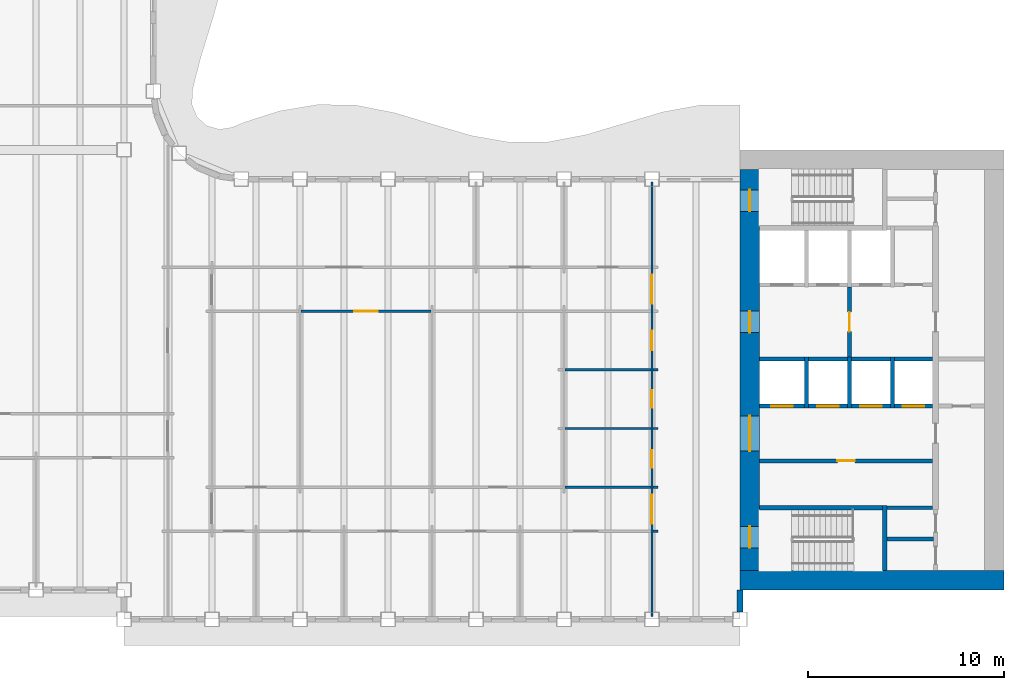
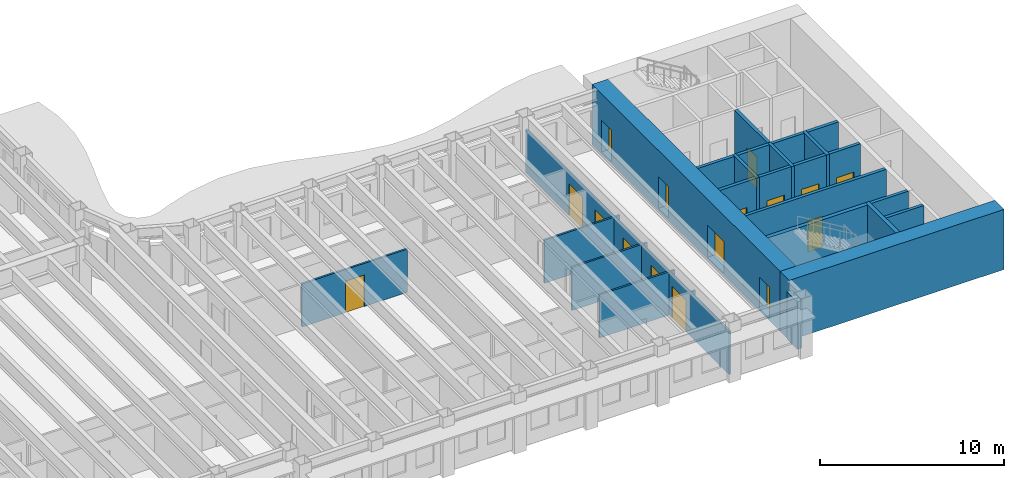
# One storey, part 6 of 16: 29 walls, 16 doors, 16 openings.
"""IFC4 building model written with IfcOpenShell, lengths in metres."""

from ifc_helpers import new_model, si_unit, direction, frame, frame_2d, origin, place, context, subcontext, project, spatial, rectangle, extrude, material, layer, layer_set, type_object, element, fill, save


model = new_model("IFC4")

# Units and contexts
model_context = context("Model", 3, precision=1e-05, world=origin(), true_north=direction((0.0, 1.0)))
body_context = subcontext(model_context, "Body", "Model", "MODEL_VIEW")
ifc_project = project(units=[si_unit("LENGTHUNIT", "METRE"), si_unit("AREAUNIT", "SQUARE_METRE"), si_unit("VOLUMEUNIT", "CUBIC_METRE"), si_unit("PLANEANGLEUNIT", "RADIAN"), si_unit("MASSUNIT", "GRAM", prefix="KILO")], contexts=[model_context])

# Site, building, storey
site_placement = place(None, origin())
site = spatial("IfcSite", under=ifc_project, at=site_placement, CompositionType="ELEMENT")
building_placement = place(site_placement, origin())
building = spatial("IfcBuilding", under=site, at=building_placement, Name="Sennacour Bend Tower", CompositionType="ELEMENT")
storey_placement = place(building_placement, frame((0.0, 0.0, 223.0)))
storey = spatial("IfcBuildingStorey", under=building, at=storey_placement, Name="L51", CompositionType="ELEMENT", Elevation=223.0)

# Wall
ifc_material_1 = material(Name="Concrete C60/75", Category="concrete")
ifc_layer_1 = layer(ifc_material_1, 1.0, Name="Concrete C60/75", Category="concrete")
ifc_layer_set_1 = layer_set([ifc_layer_1], Name="Concrete C60/75")
wall_type_1 = type_object("IfcWallType", Name="Core wall 1000 C60/75", PredefinedType="SHEAR", material=ifc_layer_set_1)
wall_1_placement = place(storey_placement, frame((67.5, 0.5, -0.14990234375), z_axis=(0.0, 0.0, 1.0), x_axis=(-1.0, 0.0, 0.0)))
element("IfcWall", 1, at=wall_1_placement, inside=storey, type_object=wall_type_1, Name="Core A wall L51 S", PredefinedType="SHEAR", context=body_context, shape_type="SweptSolid", body=[
    extrude(rectangle(XDim=13.5, YDim=1.0, at=frame_2d((6.75, 0.0))), origin(), (0.0, 0.0, 1.0), 4.0),
])

# Wall, openings, doors
wall_2_placement = place(storey_placement, frame((54.5, 1.0, -0.14990234375), z_axis=(0.0, 0.0, 1.0), x_axis=(0.0, 1.0, 0.0)))
wall_2 = element("IfcWall", 2, at=wall_2_placement, inside=storey, type_object=wall_type_1, Name="Core A wall L51 W", PredefinedType="SHEAR", context=body_context, shape_type="SweptSolid", body=[
    extrude(rectangle(XDim=20.5, YDim=1.0, at=frame_2d((10.25, 0.0))), origin(), (0.0, 0.0, 1.0), 4.0),
])
opening_1_placement = place(wall_2_placement, frame((6.10009765625, 0.0, 0.14990234375)))
opening_1 = element("IfcOpeningElement", 3, at=opening_1_placement, cuts=wall_2, Name="Opening CD", PredefinedType="OPENING", context=body_context, shape_type="SweptSolid", body=[
    extrude(rectangle(XDim=1.800048828125, YDim=2.10009765625, at=frame_2d((0.89990234375, 1.050048828125))), frame((0.0, 0.510009765625, 0.0), z_axis=(0.0, -1.0, 0.0), x_axis=(1.0, 0.0, 0.0)), (0.0, 0.0, 1.0), 1.02001953125),
])
opening_2_placement = place(wall_2_placement, frame((12.14990234375, 0.0, 0.14990234375)))
opening_2 = element("IfcOpeningElement", 4, at=opening_2_placement, cuts=wall_2, Name="Opening FD", PredefinedType="OPENING", context=body_context, shape_type="SweptSolid", body=[
    extrude(rectangle(XDim=1.10009765625, YDim=2.10009765625, at=frame_2d((0.550048828125, 1.050048828125))), frame((0.0, 0.510009765625, 0.0), z_axis=(0.0, -1.0, 0.0), x_axis=(1.0, 0.0, 0.0)), (0.0, 0.0, 1.0), 1.02001953125),
])
opening_3_placement = place(wall_2_placement, frame((1.14990234375, 0.0, 0.14990234375)))
opening_3 = element("IfcOpeningElement", 5, at=opening_3_placement, cuts=wall_2, Name="Opening SD", PredefinedType="OPENING", context=body_context, shape_type="SweptSolid", body=[
    extrude(rectangle(XDim=1.10009765625, YDim=2.10009765625, at=frame_2d((0.550048828125, 1.050048828125))), frame((0.0, 0.510009765625, 0.0), z_axis=(0.0, -1.0, 0.0), x_axis=(1.0, 0.0, 0.0)), (0.0, 0.0, 1.0), 1.02001953125),
])
opening_4_placement = place(wall_2_placement, frame((18.35009765625, 0.0, 0.14990234375)))
opening_4 = element("IfcOpeningElement", 6, at=opening_4_placement, cuts=wall_2, Name="Opening SD", PredefinedType="OPENING", context=body_context, shape_type="SweptSolid", body=[
    extrude(rectangle(XDim=1.10009765625, YDim=2.10009765625, at=frame_2d((0.550048828125, 1.050048828125))), frame((0.0, 0.510009765625, 0.0), z_axis=(0.0, -1.0, 0.0), x_axis=(1.0, 0.0, 0.0)), (0.0, 0.0, 1.0), 1.02001953125),
])
ifc_material_2 = material(Name="Painted steel", Category="steel")
door_type_1 = type_object("IfcDoorType", Name="DR-FFL-1100", OperationType="NOTDEFINED", PredefinedType="DOOR", material=ifc_material_2)
door_1_placement = place(opening_2_placement, origin())
door_1 = element("IfcDoor", 7, at=door_1_placement, inside=storey, type_object=door_type_1, Name="Door", OperationType="SINGLE_SWING_RIGHT", OverallHeight=2.10009765625, OverallWidth=1.10009765625, PredefinedType="DOOR", context=body_context, shape_type="SweptSolid", body=[
    extrude(rectangle(XDim=1.10009765625, YDim=2.10009765625, at=frame_2d((0.550048828125, 1.050048828125))), frame((0.0, 0.02490234375, 0.0), z_axis=(0.0, -1.0, 0.0), x_axis=(1.0, 0.0, 0.0)), (0.0, 0.0, 1.0), 0.050048828125),
])
fill(opening_2, door_1)
door_type_2 = type_object("IfcDoorType", Name="DR-LOBBY-1800", OperationType="NOTDEFINED", PredefinedType="DOOR", material=ifc_material_2)
door_2_placement = place(opening_1_placement, origin())
door_2 = element("IfcDoor", 8, at=door_2_placement, inside=storey, type_object=door_type_2, Name="Door", OperationType="DOUBLE_DOOR_SINGLE_SWING", OverallHeight=2.10009765625, OverallWidth=1.800048828125, PredefinedType="DOOR", context=body_context, shape_type="SweptSolid", body=[
    extrude(rectangle(XDim=1.800048828125, YDim=2.10009765625, at=frame_2d((0.89990234375, 1.050048828125))), frame((0.0, 0.02490234375, 0.0), z_axis=(0.0, -1.0, 0.0), x_axis=(1.0, 0.0, 0.0)), (0.0, 0.0, 1.0), 0.050048828125),
])
fill(opening_1, door_2)
door_type_3 = type_object("IfcDoorType", Name="DR-STAIR-1100", OperationType="NOTDEFINED", PredefinedType="DOOR", material=ifc_material_2)
door_3_placement = place(opening_3_placement, origin())
door_3 = element("IfcDoor", 9, at=door_3_placement, inside=storey, type_object=door_type_3, Name="Door", OperationType="SINGLE_SWING_LEFT", OverallHeight=2.10009765625, OverallWidth=1.10009765625, PredefinedType="DOOR", context=body_context, shape_type="SweptSolid", body=[
    extrude(rectangle(XDim=1.10009765625, YDim=2.10009765625, at=frame_2d((0.550048828125, 1.050048828125))), frame((0.0, 0.02490234375, 0.0), z_axis=(0.0, -1.0, 0.0), x_axis=(1.0, 0.0, 0.0)), (0.0, 0.0, 1.0), 0.050048828125),
])
fill(opening_3, door_3)
door_4_placement = place(opening_4_placement, origin())
door_4 = element("IfcDoor", 10, at=door_4_placement, inside=storey, type_object=door_type_3, Name="Door", OperationType="SINGLE_SWING_RIGHT", OverallHeight=2.10009765625, OverallWidth=1.10009765625, PredefinedType="DOOR", context=body_context, shape_type="SweptSolid", body=[
    extrude(rectangle(XDim=1.10009765625, YDim=2.10009765625, at=frame_2d((0.550048828125, 1.050048828125))), frame((0.0, 0.02490234375, 0.0), z_axis=(0.0, -1.0, 0.0), x_axis=(1.0, 0.0, 0.0)), (0.0, 0.0, 1.0), 0.050048828125),
])
fill(opening_4, door_4)

# Walls
ifc_material_3 = material(Name="Plasterboard partition on steel studs", Category="steel")
ifc_layer_2 = layer(ifc_material_3, 0.1201171875, Name="Plasterboard partition on steel studs", Category="steel")
ifc_layer_set_2 = layer_set([ifc_layer_2], Name="Plasterboard partition on steel studs")
wall_type_2 = type_object("IfcWallType", Name="Partition 120", PredefinedType="PARTITIONING", material=ifc_layer_set_2)
wall_3_placement = place(storey_placement, frame((49.56005859375, 3.0, 0.0), z_axis=(0.0, 0.0, 1.0), x_axis=(1.0, 0.0, 0.0)))
element("IfcWall", 11, at=wall_3_placement, inside=storey, type_object=wall_type_2, Name="P-L51-W054ah", PredefinedType="PARTITIONING", context=body_context, shape_type="SweptSolid", body=[
    extrude(rectangle(XDim=0.239990234375, YDim=0.1201171875, at=frame_2d((0.1201171875, 0.0))), origin(), (0.0, 0.0, 1.0), 2.8701171875),
])
wall_4_placement = place(storey_placement, frame((45.06005859375, 5.25, 0.0), z_axis=(0.0, 0.0, 1.0), x_axis=(1.0, 0.0, 0.0)))
element("IfcWall", 12, at=wall_4_placement, inside=storey, type_object=wall_type_2, Name="P-L51-W060ae", PredefinedType="PARTITIONING", context=body_context, shape_type="SweptSolid", body=[
    extrude(rectangle(XDim=4.3798828125, YDim=0.1201171875, at=frame_2d((2.18994140625, 0.0))), origin(), (0.0, 0.0, 1.0), 2.8701171875),
])
wall_5_placement = place(storey_placement, frame((49.56005859375, 5.25, 0.0), z_axis=(0.0, 0.0, 1.0), x_axis=(1.0, 0.0, 0.0)))
element("IfcWall", 13, at=wall_5_placement, inside=storey, type_object=wall_type_2, Name="P-L51-W060af", PredefinedType="PARTITIONING", context=body_context, shape_type="SweptSolid", body=[
    extrude(rectangle(XDim=0.239990234375, YDim=0.1201171875, at=frame_2d((0.1201171875, 0.0))), origin(), (0.0, 0.0, 1.0), 2.8701171875),
])
wall_6_placement = place(storey_placement, frame((45.06005859375, 8.25, 0.0), z_axis=(0.0, 0.0, 1.0), x_axis=(1.0, 0.0, 0.0)))
element("IfcWall", 14, at=wall_6_placement, inside=storey, type_object=wall_type_2, Name="P-L51-W063ab", PredefinedType="PARTITIONING", context=body_context, shape_type="SweptSolid", body=[
    extrude(rectangle(XDim=4.3798828125, YDim=0.1201171875, at=frame_2d((2.18994140625, 0.0))), origin(), (0.0, 0.0, 1.0), 2.8701171875),
])
wall_7_placement = place(storey_placement, frame((49.56005859375, 8.25, 0.0), z_axis=(0.0, 0.0, 1.0), x_axis=(1.0, 0.0, 0.0)))
element("IfcWall", 15, at=wall_7_placement, inside=storey, type_object=wall_type_2, Name="P-L51-W063ac", PredefinedType="PARTITIONING", context=body_context, shape_type="SweptSolid", body=[
    extrude(rectangle(XDim=0.239990234375, YDim=0.1201171875, at=frame_2d((0.1201171875, 0.0))), origin(), (0.0, 0.0, 1.0), 2.8701171875),
])
wall_8_placement = place(storey_placement, frame((45.06005859375, 11.25, 0.0), z_axis=(0.0, 0.0, 1.0), x_axis=(1.0, 0.0, 0.0)))
element("IfcWall", 16, at=wall_8_placement, inside=storey, type_object=wall_type_2, Name="P-L51-W067ab", PredefinedType="PARTITIONING", context=body_context, shape_type="SweptSolid", body=[
    extrude(rectangle(XDim=4.3798828125, YDim=0.1201171875, at=frame_2d((2.18994140625, 0.0))), origin(), (0.0, 0.0, 1.0), 2.8701171875),
])
wall_9_placement = place(storey_placement, frame((49.56005859375, 11.25, 0.0), z_axis=(0.0, 0.0, 1.0), x_axis=(1.0, 0.0, 0.0)))
element("IfcWall", 17, at=wall_9_placement, inside=storey, type_object=wall_type_2, Name="P-L51-W067ac", PredefinedType="PARTITIONING", context=body_context, shape_type="SweptSolid", body=[
    extrude(rectangle(XDim=0.239990234375, YDim=0.1201171875, at=frame_2d((0.1201171875, 0.0))), origin(), (0.0, 0.0, 1.0), 2.8701171875),
])

# Wall, opening, door
wall_10_placement = place(storey_placement, frame((31.56005859375, 14.25, 0.0), z_axis=(0.0, 0.0, 1.0), x_axis=(1.0, 0.0, 0.0)))
wall_10 = element("IfcWall", 18, at=wall_10_placement, inside=storey, type_object=wall_type_2, Name="P-L51-W071ac", PredefinedType="PARTITIONING", context=body_context, shape_type="SweptSolid", body=[
    extrude(rectangle(XDim=6.6298828125, YDim=0.1201171875, at=frame_2d((3.31494140625, 0.0))), origin(), (0.0, 0.0, 1.0), 2.8701171875),
])
opening_5_placement = place(wall_10_placement, frame((2.71484375, 0.0, 0.0)))
opening_5 = element("IfcOpeningElement", 19, at=opening_5_placement, cuts=wall_10, Name="Opening OD", PredefinedType="OPENING", context=body_context, shape_type="SweptSolid", body=[
    extrude(rectangle(XDim=1.199951171875, YDim=2.10009765625, at=frame_2d((0.60009765625, 1.050048828125))), frame((0.0, 0.070068359375, 0.0), z_axis=(0.0, -1.0, 0.0), x_axis=(1.0, 0.0, 0.0)), (0.0, 0.0, 1.0), 0.14013671875),
])
ifc_material_4 = material(Name="Timber", Category="wood")
door_type_4 = type_object("IfcDoorType", Name="DR-OFFICE-1200", OperationType="NOTDEFINED", PredefinedType="DOOR", material=ifc_material_4)
door_5_placement = place(opening_5_placement, origin())
door_5 = element("IfcDoor", 20, at=door_5_placement, inside=storey, type_object=door_type_4, Name="Door", OperationType="SINGLE_SWING_LEFT", OverallHeight=2.10009765625, OverallWidth=1.199951171875, PredefinedType="DOOR", context=body_context, shape_type="SweptSolid", body=[
    extrude(rectangle(XDim=1.199951171875, YDim=2.10009765625, at=frame_2d((0.60009765625, 1.050048828125))), frame((0.0, 0.02490234375, 0.0), z_axis=(0.0, -1.0, 0.0), x_axis=(1.0, 0.0, 0.0)), (0.0, 0.0, 1.0), 0.050048828125),
])
fill(opening_5, door_5)

# Wall, openings, doors
ifc_layer_3 = layer(ifc_material_3, 0.1201171875, Name="Plasterboard partition on steel studs", Category="steel")
ifc_layer_set_3 = layer_set([ifc_layer_3], Name="Plasterboard partition on steel studs")
wall_type_3 = type_object("IfcWallType", Name="Partition 120 EI 30", PredefinedType="PARTITIONING", material=ifc_layer_set_3)
wall_11_placement = place(storey_placement, frame((49.5, -1.35009765625, 0.0), z_axis=(0.0, 0.0, 1.0), x_axis=(0.0, 1.0, 0.0)))
wall_11 = element("IfcWall", 21, at=wall_11_placement, inside=storey, type_object=wall_type_3, Name="P-L51-W037a", PredefinedType="PARTITIONING", context=body_context, shape_type="SweptSolid", body=[
    extrude(rectangle(XDim=22.2001953125, YDim=0.1201171875, at=frame_2d((11.10009765625, 0.0))), origin(), (0.0, 0.0, 1.0), 2.8701171875),
])
opening_6_placement = place(wall_11_placement, frame((4.72509765625, 0.0, 0.0)))
opening_6 = element("IfcOpeningElement", 22, at=opening_6_placement, cuts=wall_11, Name="Opening KD", PredefinedType="OPENING", context=body_context, shape_type="SweptSolid", body=[
    extrude(rectangle(XDim=1.5, YDim=2.10009765625, at=frame_2d((0.75, 1.050048828125))), frame((0.0, 0.070068359375, 0.0), z_axis=(0.0, -1.0, 0.0), x_axis=(1.0, 0.0, 0.0)), (0.0, 0.0, 1.0), 0.14013671875),
])
opening_7_placement = place(wall_11_placement, frame((15.97509765625, 0.0, 0.0)))
opening_7 = element("IfcOpeningElement", 23, at=opening_7_placement, cuts=wall_11, Name="Opening KD", PredefinedType="OPENING", context=body_context, shape_type="SweptSolid", body=[
    extrude(rectangle(XDim=1.5, YDim=2.10009765625, at=frame_2d((0.75, 1.050048828125))), frame((0.0, 0.070068359375, 0.0), z_axis=(0.0, -1.0, 0.0), x_axis=(1.0, 0.0, 0.0)), (0.0, 0.0, 1.0), 0.14013671875),
])
opening_8_placement = place(wall_11_placement, frame((7.60009765625, 0.0, 0.0)))
opening_8 = element("IfcOpeningElement", 24, at=opening_8_placement, cuts=wall_11, Name="Opening WD", PredefinedType="OPENING", context=body_context, shape_type="SweptSolid", body=[
    extrude(rectangle(XDim=0.89990234375, YDim=2.10009765625, at=frame_2d((0.449951171875, 1.050048828125))), frame((0.0, 0.070068359375, 0.0), z_axis=(0.0, -1.0, 0.0), x_axis=(1.0, 0.0, 0.0)), (0.0, 0.0, 1.0), 0.14013671875),
])
opening_9_placement = place(wall_11_placement, frame((10.650146484375, 0.0, 0.0)))
opening_9 = element("IfcOpeningElement", 25, at=opening_9_placement, cuts=wall_11, Name="Opening WD", PredefinedType="OPENING", context=body_context, shape_type="SweptSolid", body=[
    extrude(rectangle(XDim=0.89990234375, YDim=2.10009765625, at=frame_2d((0.449951171875, 1.050048828125))), frame((0.0, 0.070068359375, 0.0), z_axis=(0.0, -1.0, 0.0), x_axis=(1.0, 0.0, 0.0)), (0.0, 0.0, 1.0), 0.14013671875),
])
opening_10_placement = place(wall_11_placement, frame((13.60009765625, 0.0, 0.0)))
opening_10 = element("IfcOpeningElement", 26, at=opening_10_placement, cuts=wall_11, Name="Opening AD", PredefinedType="OPENING", context=body_context, shape_type="SweptSolid", body=[
    extrude(rectangle(XDim=1.0, YDim=2.10009765625, at=frame_2d((0.5, 1.050048828125))), frame((0.0, 0.070068359375, 0.0), z_axis=(0.0, -1.0, 0.0), x_axis=(1.0, 0.0, 0.0)), (0.0, 0.0, 1.0), 0.14013671875),
])
door_type_5 = type_object("IfcDoorType", Name="DR-ACC-WC-1000", OperationType="NOTDEFINED", PredefinedType="DOOR", material=ifc_material_4)
door_6_placement = place(opening_10_placement, origin())
door_6 = element("IfcDoor", 27, at=door_6_placement, inside=storey, type_object=door_type_5, Name="Door", OperationType="SINGLE_SWING_RIGHT", OverallHeight=2.10009765625, OverallWidth=1.0, PredefinedType="DOOR", context=body_context, shape_type="SweptSolid", body=[
    extrude(rectangle(XDim=1.0, YDim=2.10009765625, at=frame_2d((0.5, 1.050048828125))), frame((0.0, 0.02490234375, 0.0), z_axis=(0.0, -1.0, 0.0), x_axis=(1.0, 0.0, 0.0)), (0.0, 0.0, 1.0), 0.050048828125),
])
fill(opening_10, door_6)
door_type_6 = type_object("IfcDoorType", Name="DR-CORRIDOR-1500", OperationType="NOTDEFINED", PredefinedType="DOOR", material=ifc_material_2)
door_7_placement = place(opening_6_placement, origin())
door_7 = element("IfcDoor", 28, at=door_7_placement, inside=storey, type_object=door_type_6, Name="Door", OperationType="SINGLE_SWING_LEFT", OverallHeight=2.10009765625, OverallWidth=1.5, PredefinedType="DOOR", context=body_context, shape_type="SweptSolid", body=[
    extrude(rectangle(XDim=1.5, YDim=2.10009765625, at=frame_2d((0.75, 1.050048828125))), frame((0.0, 0.02490234375, 0.0), z_axis=(0.0, -1.0, 0.0), x_axis=(1.0, 0.0, 0.0)), (0.0, 0.0, 1.0), 0.050048828125),
])
fill(opening_6, door_7)
door_8_placement = place(opening_7_placement, origin())
door_8 = element("IfcDoor", 29, at=door_8_placement, inside=storey, type_object=door_type_6, Name="Door", OperationType="SINGLE_SWING_RIGHT", OverallHeight=2.10009765625, OverallWidth=1.5, PredefinedType="DOOR", context=body_context, shape_type="SweptSolid", body=[
    extrude(rectangle(XDim=1.5, YDim=2.10009765625, at=frame_2d((0.75, 1.050048828125))), frame((0.0, 0.02490234375, 0.0), z_axis=(0.0, -1.0, 0.0), x_axis=(1.0, 0.0, 0.0)), (0.0, 0.0, 1.0), 0.050048828125),
])
fill(opening_7, door_8)
door_type_7 = type_object("IfcDoorType", Name="DR-WC-900", OperationType="NOTDEFINED", PredefinedType="DOOR", material=ifc_material_4)
door_9_placement = place(opening_8_placement, origin())
door_9 = element("IfcDoor", 30, at=door_9_placement, inside=storey, type_object=door_type_7, Name="Door", OperationType="SINGLE_SWING_LEFT", OverallHeight=2.10009765625, OverallWidth=0.89990234375, PredefinedType="DOOR", context=body_context, shape_type="SweptSolid", body=[
    extrude(rectangle(XDim=0.89990234375, YDim=2.10009765625, at=frame_2d((0.449951171875, 1.050048828125))), frame((0.0, 0.02490234375, 0.0), z_axis=(0.0, -1.0, 0.0), x_axis=(1.0, 0.0, 0.0)), (0.0, 0.0, 1.0), 0.050048828125),
])
fill(opening_8, door_9)
door_10_placement = place(opening_9_placement, origin())
door_10 = element("IfcDoor", 31, at=door_10_placement, inside=storey, type_object=door_type_7, Name="Door", OperationType="SINGLE_SWING_RIGHT", OverallHeight=2.10009765625, OverallWidth=0.89990234375, PredefinedType="DOOR", context=body_context, shape_type="SweptSolid", body=[
    extrude(rectangle(XDim=0.89990234375, YDim=2.10009765625, at=frame_2d((0.449951171875, 1.050048828125))), frame((0.0, 0.02490234375, 0.0), z_axis=(0.0, -1.0, 0.0), x_axis=(1.0, 0.0, 0.0)), (0.0, 0.0, 1.0), 0.050048828125),
])
fill(opening_9, door_10)

# Walls
ifc_material_5 = material(Name="Fire-rated plasterboard partition on steel studs", Category="steel")
ifc_layer_4 = layer(ifc_material_5, 0.199951171875, Name="Fire-rated plasterboard partition on steel studs", Category="steel")
ifc_layer_set_4 = layer_set([ifc_layer_4], Name="Fire-rated plasterboard partition on steel studs")
wall_type_4 = type_object("IfcWallType", Name="Rated partition 200", PredefinedType="PARTITIONING", material=ifc_layer_set_4)
wall_12_placement = place(storey_placement, frame((61.52490234375, 2.60009765625, 0.0), z_axis=(0.0, 0.0, 1.0), x_axis=(1.0, 0.0, 0.0)))
element("IfcWall", 32, at=wall_12_placement, inside=storey, type_object=wall_type_4, Name="P-L51-W053", PredefinedType="PARTITIONING", context=body_context, shape_type="SweptSolid", body=[
    extrude(rectangle(XDim=2.375, YDim=0.199951171875, at=frame_2d((1.1875, 0.0))), origin(), (0.0, 0.0, 1.0), 3.85009765625),
])
wall_13_placement = place(storey_placement, frame((61.52490234375, 4.199951171875, 0.0), z_axis=(0.0, 0.0, 1.0), x_axis=(1.0, 0.0, 0.0)))
element("IfcWall", 33, at=wall_13_placement, inside=storey, type_object=wall_type_4, Name="P-L51-W059", PredefinedType="PARTITIONING", context=body_context, shape_type="SweptSolid", body=[
    extrude(rectangle(XDim=2.3251953125, YDim=0.199951171875, at=frame_2d((1.16259765625, 0.0))), origin(), (0.0, 0.0, 1.0), 3.85009765625),
])

# Wall, opening, door
wall_14_placement = place(storey_placement, frame((55.0, 6.60009765625, 0.0), z_axis=(0.0, 0.0, 1.0), x_axis=(1.0, 0.0, 0.0)))
wall_14 = element("IfcWall", 34, at=wall_14_placement, inside=storey, type_object=wall_type_4, Name="P-L51-W061", PredefinedType="PARTITIONING", context=body_context, shape_type="SweptSolid", body=[
    extrude(rectangle(XDim=8.85009765625, YDim=0.199951171875, at=frame_2d((4.425048828125, 0.0))), origin(), (0.0, 0.0, 1.0), 3.85009765625),
])
opening_11_placement = place(wall_14_placement, frame((3.97509765625, 0.0, 0.0)))
opening_11 = element("IfcOpeningElement", 35, at=opening_11_placement, cuts=wall_14, Name="Opening SV", PredefinedType="OPENING", context=body_context, shape_type="SweptSolid", body=[
    extrude(rectangle(XDim=0.89990234375, YDim=2.10009765625, at=frame_2d((0.449951171875, 1.050048828125))), frame((0.0, 0.10986328125, 0.0), z_axis=(0.0, -1.0, 0.0), x_axis=(1.0, 0.0, 0.0)), (0.0, 0.0, 1.0), 0.219970703125),
])
door_type_8 = type_object("IfcDoorType", Name="DR-SERVICE-900", OperationType="NOTDEFINED", PredefinedType="DOOR", material=ifc_material_2)
door_11_placement = place(opening_11_placement, origin())
door_11 = element("IfcDoor", 36, at=door_11_placement, inside=storey, type_object=door_type_8, Name="Door", OperationType="SINGLE_SWING_LEFT", OverallHeight=2.10009765625, OverallWidth=0.89990234375, PredefinedType="DOOR", context=body_context, shape_type="SweptSolid", body=[
    extrude(rectangle(XDim=0.89990234375, YDim=2.10009765625, at=frame_2d((0.449951171875, 1.050048828125))), frame((0.0, 0.02490234375, 0.0), z_axis=(0.0, -1.0, 0.0), x_axis=(1.0, 0.0, 0.0)), (0.0, 0.0, 1.0), 0.050048828125),
])
fill(opening_11, door_11)

ifc_layer_5 = layer(ifc_material_5, 0.199951171875, Name="Fire-rated plasterboard partition on steel studs", Category="steel")
ifc_layer_set_5 = layer_set([ifc_layer_5], Name="Fire-rated plasterboard partition on steel studs")
wall_type_5 = type_object("IfcWallType", Name="Rated partition 200 EI 90", PredefinedType="PARTITIONING", material=ifc_layer_set_5)
wall_15_placement = place(storey_placement, frame((59.60009765625, 11.89990234375, 0.0), z_axis=(0.0, 0.0, 1.0), x_axis=(0.0, 1.0, 0.0)))
wall_15 = element("IfcWall", 37, at=wall_15_placement, inside=storey, type_object=wall_type_5, Name="P-L51-W042", PredefinedType="PARTITIONING", context=body_context, shape_type="SweptSolid", body=[
    extrude(rectangle(XDim=3.60009765625, YDim=0.199951171875, at=frame_2d((1.800048828125, 0.0))), origin(), (0.0, 0.0, 1.0), 3.85009765625),
])
opening_12_placement = place(wall_15_placement, frame((1.300048828125, 0.0, 0.0)))
opening_12 = element("IfcOpeningElement", 38, at=opening_12_placement, cuts=wall_15, Name="Opening FD2", PredefinedType="OPENING", context=body_context, shape_type="SweptSolid", body=[
    extrude(rectangle(XDim=1.0, YDim=2.10009765625, at=frame_2d((0.5, 1.050048828125))), frame((0.0, 0.10986328125, 0.0), z_axis=(0.0, -1.0, 0.0), x_axis=(1.0, 0.0, 0.0)), (0.0, 0.0, 1.0), 0.219970703125),
])
door_type_9 = type_object("IfcDoorType", Name="DR-FFL-1000", OperationType="NOTDEFINED", PredefinedType="DOOR", material=ifc_material_2)
door_12_placement = place(opening_12_placement, origin())
door_12 = element("IfcDoor", 39, at=door_12_placement, inside=storey, type_object=door_type_9, Name="Door", OperationType="SINGLE_SWING_LEFT", OverallHeight=2.10009765625, OverallWidth=1.0, PredefinedType="DOOR", context=body_context, shape_type="SweptSolid", body=[
    extrude(rectangle(XDim=1.0, YDim=2.10009765625, at=frame_2d((0.5, 1.050048828125))), frame((0.0, 0.02490234375, 0.0), z_axis=(0.0, -1.0, 0.0), x_axis=(1.0, 0.0, 0.0)), (0.0, 0.0, 1.0), 0.050048828125),
])
fill(opening_12, door_12)

# Walls
ifc_material_6 = material(Name="Warm limestone cladding", Category="masonry")
ifc_layer_6 = layer(ifc_material_6, 0.050048828125, Name="Warm limestone cladding", Category="masonry")
ifc_material_7 = material(Name="Precast concrete C40/50", Category="concrete")
ifc_layer_7 = layer(ifc_material_7, 0.25, Name="Precast concrete C40/50", Category="concrete")
ifc_layer_set_6 = layer_set([ifc_layer_6, ifc_layer_7], Name="Precast concrete C40/50 with limestone cladding")
wall_type_6 = type_object("IfcWallType", Name="STONE-CLAD PRECAST SPANDREL 300", PredefinedType="STANDARD", material=ifc_layer_set_6)
wall_16_placement = place(storey_placement, frame((54.0, -1.125, 0.0), z_axis=(0.0, 0.0, 1.0), x_axis=(0.0, 1.0, 0.0)))
element("IfcWall", 40, at=wall_16_placement, inside=storey, type_object=wall_type_6, Name="Stone spandrel and pier wall L51 01.00", PredefinedType="STANDARD", context=body_context, shape_type="SweptSolid", body=[
    extrude(rectangle(XDim=1.125, YDim=0.300048828125, at=frame_2d((0.5625, 0.0))), origin(), (0.0, 0.0, 1.0), 3.156982421875),
])
ifc_material_8 = material(Name="Concrete C50/60", Category="concrete")
ifc_layer_8 = layer(ifc_material_8, 0.199951171875, Name="Concrete C50/60", Category="concrete")
ifc_layer_set_7 = layer_set([ifc_layer_8], Name="Concrete C50/60")
wall_type_7 = type_object("IfcWallType", Name="Shaft wall 200", PredefinedType="SOLIDWALL", material=ifc_layer_set_7)
for number, where, z_axis, x_axis, name in (
    (41, (57.39990234375, 9.300048828125, 0.0), (0.0, 0.0, 1.0), (0.0, 1.0, 0.0), "P-L51-W039"),
    (42, (59.60009765625, 9.300048828125, 0.0), (0.0, 0.0, 1.0), (0.0, 1.0, 0.0), "P-L51-W041"),
    (43, (61.800048828125, 9.300048828125, 0.0), (0.0, 0.0, 1.0), (0.0, 1.0, 0.0), "P-L51-W046"),
):
    element("IfcWall", number, at=place(storey_placement, frame(where, z_axis=z_axis, x_axis=x_axis)), inside=storey, type_object=wall_type_7, Name=name, PredefinedType="SOLIDWALL", context=body_context, shape_type="SweptSolid", body=[
        extrude(rectangle(XDim=2.599853515625, YDim=0.199951171875, at=frame_2d((1.2998046875, 0.0))), origin(), (0.0, 0.0, 1.0), 3.85009765625),
    ])

# Wall, opening, door
wall_17_placement = place(storey_placement, frame((55.0, 9.39990234375, 0.0), z_axis=(0.0, 0.0, 1.0), x_axis=(1.0, 0.0, 0.0)))
wall_17 = element("IfcWall", 44, at=wall_17_placement, inside=storey, type_object=wall_type_7, Name="P-L51-W065a", PredefinedType="SOLIDWALL", context=body_context, shape_type="SweptSolid", body=[
    extrude(rectangle(XDim=2.300048828125, YDim=0.199951171875, at=frame_2d((1.14990234375, 0.0))), origin(), (0.0, 0.0, 1.0), 3.85009765625),
])
opening_13_placement = place(wall_17_placement, frame((0.60009765625, 0.0, 0.011962890625)))
opening_13 = element("IfcOpeningElement", 45, at=opening_13_placement, cuts=wall_17, Name="Opening LD", PredefinedType="OPENING", context=body_context, shape_type="SweptSolid", body=[
    extrude(rectangle(XDim=1.10009765625, YDim=2.10009765625, at=frame_2d((0.550048828125, 1.050048828125))), frame((0.0, 0.10986328125, 0.0), z_axis=(0.0, -1.0, 0.0), x_axis=(1.0, 0.0, 0.0)), (0.0, 0.0, 1.0), 0.219970703125),
])
ifc_material_9 = material(Name="Stainless steel", Category="steel")
door_type_10 = type_object("IfcDoorType", Name="DR-LANDING-1100", OperationType="NOTDEFINED", PredefinedType="DOOR", material=ifc_material_9)
door_13_placement = place(opening_13_placement, origin())
door_13 = element("IfcDoor", 46, at=door_13_placement, inside=storey, type_object=door_type_10, Name="Lift landing door HA1", OperationType="SLIDING_TO_LEFT", OverallHeight=2.10009765625, OverallWidth=1.10009765625, PredefinedType="DOOR", context=body_context, shape_type="SweptSolid", body=[
    extrude(rectangle(XDim=1.10009765625, YDim=2.10009765625, at=frame_2d((0.550048828125, 1.050048828125))), frame((0.0, 0.02490234375, 0.0), z_axis=(0.0, -1.0, 0.0), x_axis=(1.0, 0.0, 0.0)), (0.0, 0.0, 1.0), 0.050048828125),
])
fill(opening_13, door_13)

wall_18_placement = place(storey_placement, frame((57.5, 9.39990234375, 0.0), z_axis=(0.0, 0.0, 1.0), x_axis=(1.0, 0.0, 0.0)))
wall_18 = element("IfcWall", 47, at=wall_18_placement, inside=storey, type_object=wall_type_7, Name="P-L51-W065b", PredefinedType="SOLIDWALL", context=body_context, shape_type="SweptSolid", body=[
    extrude(rectangle(XDim=2.0, YDim=0.199951171875, at=frame_2d((1.0, 0.0))), origin(), (0.0, 0.0, 1.0), 3.85009765625),
])
opening_14_placement = place(wall_18_placement, frame((0.449951171875, 0.0, 0.011962890625)))
opening_14 = element("IfcOpeningElement", 48, at=opening_14_placement, cuts=wall_18, Name="Opening LD", PredefinedType="OPENING", context=body_context, shape_type="SweptSolid", body=[
    extrude(rectangle(XDim=1.10009765625, YDim=2.10009765625, at=frame_2d((0.550048828125, 1.050048828125))), frame((0.0, 0.10986328125, 0.0), z_axis=(0.0, -1.0, 0.0), x_axis=(1.0, 0.0, 0.0)), (0.0, 0.0, 1.0), 0.219970703125),
])
door_14_placement = place(opening_14_placement, origin())
door_14 = element("IfcDoor", 49, at=door_14_placement, inside=storey, type_object=door_type_10, Name="Lift landing door HA2", OperationType="SLIDING_TO_RIGHT", OverallHeight=2.10009765625, OverallWidth=1.10009765625, PredefinedType="DOOR", context=body_context, shape_type="SweptSolid", body=[
    extrude(rectangle(XDim=1.10009765625, YDim=2.10009765625, at=frame_2d((0.550048828125, 1.050048828125))), frame((0.0, 0.02490234375, 0.0), z_axis=(0.0, -1.0, 0.0), x_axis=(1.0, 0.0, 0.0)), (0.0, 0.0, 1.0), 0.050048828125),
])
fill(opening_14, door_14)

wall_19_placement = place(storey_placement, frame((59.699951171875, 9.39990234375, 0.0), z_axis=(0.0, 0.0, 1.0), x_axis=(1.0, 0.0, 0.0)))
wall_19 = element("IfcWall", 50, at=wall_19_placement, inside=storey, type_object=wall_type_7, Name="P-L51-W065c", PredefinedType="SOLIDWALL", context=body_context, shape_type="SweptSolid", body=[
    extrude(rectangle(XDim=2.0, YDim=0.199951171875, at=frame_2d((1.0, 0.0))), origin(), (0.0, 0.0, 1.0), 3.85009765625),
])
opening_15_placement = place(wall_19_placement, frame((0.449951171875, 0.0, 0.011962890625)))
opening_15 = element("IfcOpeningElement", 51, at=opening_15_placement, cuts=wall_19, Name="Opening LD", PredefinedType="OPENING", context=body_context, shape_type="SweptSolid", body=[
    extrude(rectangle(XDim=1.10009765625, YDim=2.10009765625, at=frame_2d((0.550048828125, 1.050048828125))), frame((0.0, 0.10986328125, 0.0), z_axis=(0.0, -1.0, 0.0), x_axis=(1.0, 0.0, 0.0)), (0.0, 0.0, 1.0), 0.219970703125),
])
door_15_placement = place(opening_15_placement, origin())
door_15 = element("IfcDoor", 52, at=door_15_placement, inside=storey, type_object=door_type_10, Name="Lift landing door HA3", OperationType="SLIDING_TO_LEFT", OverallHeight=2.10009765625, OverallWidth=1.10009765625, PredefinedType="DOOR", context=body_context, shape_type="SweptSolid", body=[
    extrude(rectangle(XDim=1.10009765625, YDim=2.10009765625, at=frame_2d((0.550048828125, 1.050048828125))), frame((0.0, 0.02490234375, 0.0), z_axis=(0.0, -1.0, 0.0), x_axis=(1.0, 0.0, 0.0)), (0.0, 0.0, 1.0), 0.050048828125),
])
fill(opening_15, door_15)

wall_20_placement = place(storey_placement, frame((61.89990234375, 9.39990234375, 0.0), z_axis=(0.0, 0.0, 1.0), x_axis=(1.0, 0.0, 0.0)))
wall_20 = element("IfcWall", 53, at=wall_20_placement, inside=storey, type_object=wall_type_7, Name="P-L51-W065d", PredefinedType="SOLIDWALL", context=body_context, shape_type="SweptSolid", body=[
    extrude(rectangle(XDim=1.9501953125, YDim=0.199951171875, at=frame_2d((0.97509765625, 0.0))), origin(), (0.0, 0.0, 1.0), 3.85009765625),
])
opening_16_placement = place(wall_20_placement, frame((0.425048828125, 0.0, 0.011962890625)))
opening_16 = element("IfcOpeningElement", 54, at=opening_16_placement, cuts=wall_20, Name="Opening LD", PredefinedType="OPENING", context=body_context, shape_type="SweptSolid", body=[
    extrude(rectangle(XDim=1.10009765625, YDim=2.10009765625, at=frame_2d((0.550048828125, 1.050048828125))), frame((0.0, 0.10986328125, 0.0), z_axis=(0.0, -1.0, 0.0), x_axis=(1.0, 0.0, 0.0)), (0.0, 0.0, 1.0), 0.219970703125),
])
door_16_placement = place(opening_16_placement, origin())
door_16 = element("IfcDoor", 55, at=door_16_placement, inside=storey, type_object=door_type_10, Name="Lift landing door HA4", OperationType="SLIDING_TO_RIGHT", OverallHeight=2.10009765625, OverallWidth=1.10009765625, PredefinedType="DOOR", context=body_context, shape_type="SweptSolid", body=[
    extrude(rectangle(XDim=1.10009765625, YDim=2.10009765625, at=frame_2d((0.550048828125, 1.050048828125))), frame((0.0, 0.02490234375, 0.0), z_axis=(0.0, -1.0, 0.0), x_axis=(1.0, 0.0, 0.0)), (0.0, 0.0, 1.0), 0.050048828125),
])
fill(opening_16, door_16)

# Walls
wall_21_placement = place(storey_placement, frame((55.0, 11.800048828125, 0.0), z_axis=(0.0, 0.0, 1.0), x_axis=(1.0, 0.0, 0.0)))
element("IfcWall", 56, at=wall_21_placement, inside=storey, type_object=wall_type_7, Name="P-L51-W068a", PredefinedType="SOLIDWALL", context=body_context, shape_type="SweptSolid", body=[
    extrude(rectangle(XDim=2.300048828125, YDim=0.199951171875, at=frame_2d((1.14990234375, 0.0))), origin(), (0.0, 0.0, 1.0), 3.85009765625),
])
for number, where, z_axis, x_axis, name in (
    (57, (57.5, 11.800048828125, 0.0), (0.0, 0.0, 1.0), (1.0, 0.0, 0.0), "P-L51-W068b"),
    (58, (59.699951171875, 11.800048828125, 0.0), (0.0, 0.0, 1.0), (1.0, 0.0, 0.0), "P-L51-W068c"),
):
    element("IfcWall", number, at=place(storey_placement, frame(where, z_axis=z_axis, x_axis=x_axis)), inside=storey, type_object=wall_type_7, Name=name, PredefinedType="SOLIDWALL", context=body_context, shape_type="SweptSolid", body=[
        extrude(rectangle(XDim=2.0, YDim=0.199951171875, at=frame_2d((1.0, 0.0))), origin(), (0.0, 0.0, 1.0), 3.85009765625),
    ])
wall_22_placement = place(storey_placement, frame((61.89990234375, 11.800048828125, 0.0), z_axis=(0.0, 0.0, 1.0), x_axis=(1.0, 0.0, 0.0)))
element("IfcWall", 59, at=wall_22_placement, inside=storey, type_object=wall_type_7, Name="P-L51-W068d", PredefinedType="SOLIDWALL", context=body_context, shape_type="SweptSolid", body=[
    extrude(rectangle(XDim=1.9501953125, YDim=0.199951171875, at=frame_2d((0.97509765625, 0.0))), origin(), (0.0, 0.0, 1.0), 3.85009765625),
])
ifc_layer_9 = layer(ifc_material_1, 0.25, Name="Concrete C60/75", Category="concrete")
ifc_layer_set_8 = layer_set([ifc_layer_9], Name="Concrete C60/75")
wall_type_8 = type_object("IfcWallType", Name="Stair wall 250", PredefinedType="SHEAR", material=ifc_layer_set_8)
wall_23_placement = place(storey_placement, frame((61.39990234375, 1.0, 0.0), z_axis=(0.0, 0.0, 1.0), x_axis=(0.0, 1.0, 0.0)))
element("IfcWall", 60, at=wall_23_placement, inside=storey, type_object=wall_type_8, Name="P-L51-W044", PredefinedType="SHEAR", context=body_context, shape_type="SweptSolid", body=[
    extrude(rectangle(XDim=3.324951171875, YDim=0.25, at=frame_2d((1.66259765625, 0.0))), origin(), (0.0, 0.0, 1.0), 3.85009765625),
])
wall_24_placement = place(storey_placement, frame((55.0, 4.199951171875, 0.0), z_axis=(0.0, 0.0, 1.0), x_axis=(1.0, 0.0, 0.0)))
element("IfcWall", 61, at=wall_24_placement, inside=storey, type_object=wall_type_8, Name="P-L51-W058", PredefinedType="SHEAR", context=body_context, shape_type="SweptSolid", body=[
    extrude(rectangle(XDim=6.27490234375, YDim=0.25, at=frame_2d((3.137451171875, 0.0))), origin(), (0.0, 0.0, 1.0), 3.85009765625),
])

save(model, "model.ifc")
